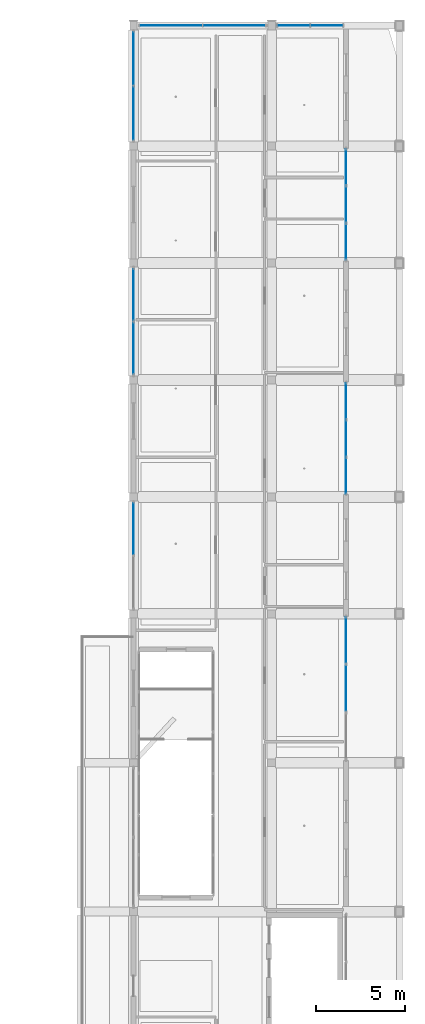
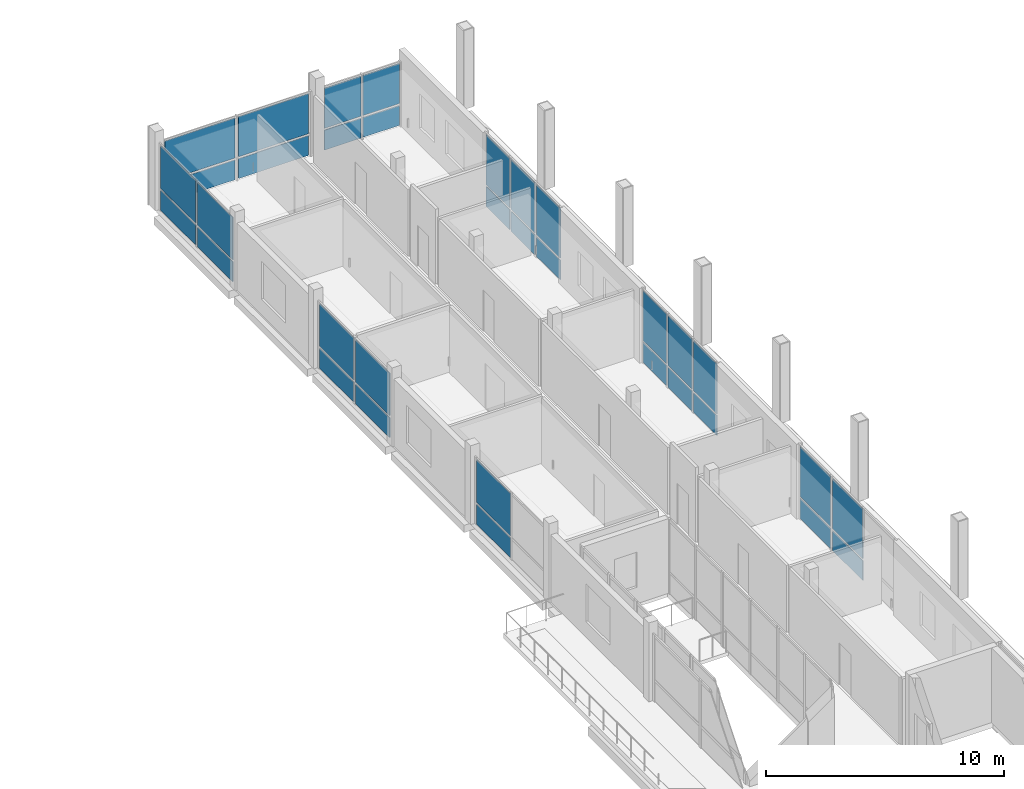
# One storey, part 21 of 48: 34 plates, 8 elements without a shape of their own.
"""IFC4 building model written with IfcOpenShell, lengths in metres."""

import ifcopenshell
import ifcopenshell.guid

model = None  # the IFC model being written
_history = None  # IfcOwnerHistory: only IFC2X3 demands one
_inside = {}  # id of a spatial element -> (the spatial element, [elements in it])
_under = {}  # id of a project, library or spatial element -> (it, [spatial elements below it])
_declared = {}  # id of a project -> (the project, [libraries it declares])
_typed = {}  # id of a type object -> (the type object, [elements of that type])
_made_of = {}  # id of a material, layer set ... -> (it, [elements and type objects made of it])


def new_model(schema):
    """Start an empty IFC model of exactly this schema.

    Asked for "IFC4X3", IfcOpenShell would pick the latest addendum, in which some entities
    have other attributes; the version numbers below select the first issue.
    IFC2X3 requires an IfcOwnerHistory on every rooted entity: one is made here for all.
    """
    global model, _history
    if schema == "IFC4X3":
        model = ifcopenshell.file(schema_version=(4, 3, 0, 0))
    else:
        model = ifcopenshell.file(schema=schema)
    _inside.clear()
    _under.clear()
    _declared.clear()
    _typed.clear()
    _made_of.clear()
    _history = None
    if model.schema == "IFC2X3":
        org = make("IfcOrganization", Name="unknown")
        user = make(
            "IfcPersonAndOrganization",
            ThePerson=make("IfcPerson", FamilyName="unknown"),
            TheOrganization=org,
        )
        app = make(
            "IfcApplication",
            ApplicationDeveloper=org,
            Version="unknown",
            ApplicationFullName="unknown",
            ApplicationIdentifier="unknown",
        )
        _history = make(
            "IfcOwnerHistory",
            OwningUser=user,
            OwningApplication=app,
            ChangeAction="ADDED",
            CreationDate=0,
        )
    return model


def make(cls, **values):
    """One entity of the class cls with the attributes given. An attribute that is None is left unset."""
    return model.create_entity(
        cls, **{name: value for name, value in values.items() if value is not None}
    )


def rooted(cls, **values):
    """An entity with a GlobalId (a new one), such as an element, a storey or a relation."""
    return make(cls, GlobalId=ifcopenshell.guid.new(), OwnerHistory=_history, **values)


def si_unit(unit_type, name, prefix=None):
    """IfcSIUnit, for example si_unit("LENGTHUNIT", "METRE", prefix="MILLI")."""
    return make("IfcSIUnit", UnitType=unit_type, Prefix=prefix, Name=name)


def derived_unit(unit_type, elements):
    """IfcDerivedUnit: a product of units, each with its exponent."""
    return make(
        "IfcDerivedUnit",
        Elements=[
            make("IfcDerivedUnitElement", Unit=unit, Exponent=power)
            for unit, power in elements
        ],
        UnitType=unit_type,
    )


def assignment(units):
    """IfcUnitAssignment: the units of a project."""
    return None if units is None else make("IfcUnitAssignment", Units=units)


def point(xyz):
    """IfcCartesianPoint."""
    return None if xyz is None else make("IfcCartesianPoint", Coordinates=xyz)


def direction(xyz):
    """IfcDirection."""
    return None if xyz is None else make("IfcDirection", DirectionRatios=xyz)


def frame(location, z_axis=None, x_axis=None):
    """IfcAxis2Placement3D, a coordinate frame: its origin and axes. An axis left out is left unset."""
    return make(
        "IfcAxis2Placement3D",
        Location=point(location),
        Axis=direction(z_axis),
        RefDirection=direction(x_axis),
    )


def frame_2d(location, x_axis=None):
    """IfcAxis2Placement2D, a coordinate frame in the plane: its origin and x axis."""
    return make(
        "IfcAxis2Placement2D", Location=point(location), RefDirection=direction(x_axis)
    )


def origin():
    """The frame at (0, 0, 0) with its axes left unset."""
    return frame((0.0, 0.0, 0.0))


def origin_2d():
    """The frame at (0, 0) in the plane with its x axis left unset."""
    return frame_2d((0.0, 0.0))


def place(relative_to, where):
    """IfcLocalPlacement: puts the frame where relative to a parent placement (None: the world)."""
    return make(
        "IfcLocalPlacement", PlacementRelTo=relative_to, RelativePlacement=where
    )


def context(
    kind, dimensions, precision=None, world=None, true_north=None, identifier=None
):
    """IfcGeometricRepresentationContext, for example the 3D "Model" context."""
    return make(
        "IfcGeometricRepresentationContext",
        ContextIdentifier=identifier,
        ContextType=kind,
        CoordinateSpaceDimension=dimensions,
        Precision=precision,
        WorldCoordinateSystem=world,
        TrueNorth=true_north,
    )


def subcontext(parent, identifier, kind, view, scale=None):
    """IfcGeometricRepresentationSubContext, for example "Body" below "Model"."""
    return make(
        "IfcGeometricRepresentationSubContext",
        ContextIdentifier=identifier,
        ContextType=kind,
        ParentContext=parent,
        TargetScale=scale,
        TargetView=view,
    )


def project(units=None, contexts=None):
    """IfcProject with its units and contexts."""
    return rooted(
        "IfcProject",
        Name="project",
        RepresentationContexts=contexts,
        UnitsInContext=assignment(units),
    )


def spatial(cls, under=None, at=None, **own):
    """A site, building, storey or space (cls), placed at a placement, below another one or the project."""
    s = rooted(cls, ObjectPlacement=at, **own)
    if under is not None:
        _under.setdefault(under.id(), (under, []))[1].append(s)
    return s


def profile(cls, at=None, kind="AREA", **sizes):
    """A parametric profile (cls). Its sizes go by their IFC names, for example OverallWidth=200.0."""
    return make(cls, ProfileType=kind, Position=at, **sizes)


def rectangle(**sizes):
    """IfcRectangleProfileDef."""
    return profile("IfcRectangleProfileDef", **sizes)


def extrude(swept, where, along, depth):
    """IfcExtrudedAreaSolid: the profile swept, set in the frame where, extruded along a direction by depth."""
    return make(
        "IfcExtrudedAreaSolid",
        SweptArea=swept,
        Position=where,
        ExtrudedDirection=direction(along),
        Depth=depth,
    )


def shape(context_of_items, identifier, shape_type, items):
    """IfcShapeRepresentation: the items that make up one representation, for example the "Body"."""
    return make(
        "IfcShapeRepresentation",
        ContextOfItems=context_of_items,
        RepresentationIdentifier=identifier,
        RepresentationType=shape_type,
        Items=items,
    )


def material(Name=None, Category=None):
    """IfcMaterial."""
    return make("IfcMaterial", Name=Name, Category=Category)


def made_of(thing, what):
    """Note that an element or type object is made of a material, layer set ...; save() writes the relation."""
    if what is not None:
        _made_of.setdefault(what.id(), (what, []))[1].append(thing)
    return thing


def type_object(cls, material=None, **own):
    """A type object (cls), such as IfcWallType, which elements share."""
    return made_of(rooted(cls, **own), material)


def element(
    cls,
    number,
    at=None,
    inside=None,
    cuts=None,
    type_object=None,
    material=None,
    context=None,
    identifier="Body",
    shape_type=None,
    held_by="IfcProductDefinitionShape",
    body=None,
    shapes=None,
    **own,
):
    """One element of the class cls, such as IfcWall. Its Tag is "e" and its number.

    at: its placement. inside: the storey or other place that contains it. cuts: it is an
    opening in that element (IfcRelVoidsElement). A single representation is given by context,
    identifier, shape_type and body (its items); several are given by shapes. held_by: the class
    of the entity that holds the representations. save() writes the other relations.
    """
    e = rooted(cls, Tag="e%d" % number, ObjectPlacement=at, **own)
    if body is not None:
        shapes = [shape(context, identifier, shape_type, body)]
    if shapes is not None:
        e.Representation = make(held_by, Representations=shapes)
    if inside is not None:
        _inside.setdefault(inside.id(), (inside, []))[1].append(e)
    if cuts is not None:
        rooted(
            "IfcRelVoidsElement", RelatingBuildingElement=cuts, RelatedOpeningElement=e
        )
    if type_object is not None:
        _typed.setdefault(type_object.id(), (type_object, []))[1].append(e)
    return made_of(e, material)


def aggregate(whole, parts):
    """IfcRelAggregates: a whole, such as a stair, and the parts it consists of."""
    return rooted("IfcRelAggregates", RelatingObject=whole, RelatedObjects=parts)


def save(model, path):
    """Write the relations noted so far, then the file.

    IfcRelAggregates (storeys below a building ...), IfcRelContainedInSpatialStructure (elements
    in a storey), IfcRelDefinesByType, IfcRelAssociatesMaterial and IfcRelDeclares: one each for
    every whole, place, type object, material and project.
    """
    for whole, parts in _under.values():
        aggregate(whole, parts)
    for where, things in _inside.values():
        rooted(
            "IfcRelContainedInSpatialStructure",
            RelatedElements=things,
            RelatingStructure=where,
        )
    for kind, things in _typed.values():
        rooted("IfcRelDefinesByType", RelatedObjects=things, RelatingType=kind)
    for what, things in _made_of.values():
        rooted("IfcRelAssociatesMaterial", RelatedObjects=things, RelatingMaterial=what)
    for by, libraries in _declared.values():
        rooted("IfcRelDeclares", RelatingContext=by, RelatedDefinitions=libraries)
    model.write(path)


model = new_model("IFC4")

# Units and contexts
model_context = context("Model", 3, precision=1e-05, world=origin(), true_north=direction((0.0, 1.0)))
body_context = subcontext(model_context, "Body", "Model", "MODEL_VIEW")
ifc_project = project(units=[si_unit("LENGTHUNIT", "METRE"), si_unit("AREAUNIT", "SQUARE_METRE"), si_unit("VOLUMEUNIT", "CUBIC_METRE"), si_unit("PLANEANGLEUNIT", "RADIAN"), si_unit("MASSUNIT", "GRAM", prefix="KILO"), derived_unit("THERMALTRANSMITTANCEUNIT", [(si_unit("POWERUNIT", "WATT"), 1), (si_unit("LENGTHUNIT", "METRE"), -2), (si_unit("THERMODYNAMICTEMPERATUREUNIT", "KELVIN"), -1)])], contexts=[model_context])

# Site, building, storey
site_placement = place(None, origin())
site = spatial("IfcSite", under=ifc_project, at=site_placement, CompositionType="ELEMENT")
building_placement = place(site_placement, origin())
building = spatial("IfcBuilding", under=site, at=building_placement, Name="Braskholm Square Health Centre", CompositionType="ELEMENT")
storey_placement = place(building_placement, frame((0.0, 0.0, 17.550048828125)))
storey = spatial("IfcBuildingStorey", under=building, at=storey_placement, Name="L05", CompositionType="ELEMENT", Elevation=17.550048828125)

# Curtain wall, plates
ifc_material_1 = material(Name="Low-E triple insulating glass (VLT 0.64)", Category="glass")
curtain_wall_type_1 = type_object("IfcCurtainWallType", Name="UnitisedCurtainWall6200x3800", PredefinedType="NOTDEFINED", material=ifc_material_1)
curtain_wall_1_placement = place(storey_placement, origin())
curtain_wall_1 = element("IfcCurtainWall", 1, at=curtain_wall_1_placement, inside=storey, type_object=curtain_wall_type_1, Name="East Crown unitised curtain wall CW-L05-0082", PredefinedType="NOTDEFINED")
ifc_material_2 = material(Name="Architectural bronze anodised aluminium", Category="aluminium")
plate_type_1 = type_object("IfcPlateType", Name="CurtainPanelSpandrel1850x1020", PredefinedType="CURTAIN_PANEL", material=ifc_material_2)
plate_1_placement = place(storey_placement, frame((160.800048828125, 88.3798828125, 0.050048828125), z_axis=(0.0, 0.0, 1.0), x_axis=(0.0, 1.0, 0.0)))
plate_1 = element("IfcPlate", 2, at=plate_1_placement, type_object=plate_type_1, Name="CW-L05-0082 spandrel panel 1", PredefinedType="CURTAIN_PANEL", context=body_context, shape_type="SweptSolid", body=[
    extrude(rectangle(XDim=1.992919921875, YDim=0.035888671875, at=origin_2d()), origin(), (0.0, 0.0, 1.0), 1.02001953125),
])
plate_2_placement = place(storey_placement, frame((160.800048828125, 90.5, 0.050048828125), z_axis=(0.0, 0.0, 1.0), x_axis=(0.0, 1.0, 0.0)))
plate_2 = element("IfcPlate", 3, at=plate_2_placement, type_object=plate_type_1, Name="CW-L05-0082 spandrel panel 2", PredefinedType="CURTAIN_PANEL", context=body_context, shape_type="SweptSolid", body=[
    extrude(rectangle(XDim=1.992919921875, YDim=0.035888671875, at=origin_2d()), origin(), (0.0, 0.0, 1.0), 1.02001953125),
])
plate_3_placement = place(storey_placement, frame((160.800048828125, 92.6201171875, 0.050048828125), z_axis=(0.0, 0.0, 1.0), x_axis=(0.0, 1.0, 0.0)))
plate_3 = element("IfcPlate", 4, at=plate_3_placement, type_object=plate_type_1, Name="CW-L05-0082 spandrel panel 3", PredefinedType="CURTAIN_PANEL", context=body_context, shape_type="SweptSolid", body=[
    extrude(rectangle(XDim=1.992919921875, YDim=0.035888671875, at=origin_2d()), origin(), (0.0, 0.0, 1.0), 1.02001953125),
])

curtain_wall_2_placement = place(storey_placement, origin())
curtain_wall_2 = element("IfcCurtainWall", 5, at=curtain_wall_2_placement, inside=storey, type_object=curtain_wall_type_1, Name="East Crown unitised curtain wall CW-L05-0083", PredefinedType="NOTDEFINED")
plate_4_placement = place(storey_placement, frame((160.800048828125, 101.580078125, 0.050048828125), z_axis=(0.0, 0.0, 1.0), x_axis=(0.0, 1.0, 0.0)))
plate_4 = element("IfcPlate", 6, at=plate_4_placement, type_object=plate_type_1, Name="CW-L05-0083 spandrel panel 1", PredefinedType="CURTAIN_PANEL", context=body_context, shape_type="SweptSolid", body=[
    extrude(rectangle(XDim=1.992919921875, YDim=0.035888671875, at=origin_2d()), origin(), (0.0, 0.0, 1.0), 1.02001953125),
])
plate_5_placement = place(storey_placement, frame((160.800048828125, 103.699951171875, 0.050048828125), z_axis=(0.0, 0.0, 1.0), x_axis=(0.0, 1.0, 0.0)))
plate_5 = element("IfcPlate", 7, at=plate_5_placement, type_object=plate_type_1, Name="CW-L05-0083 spandrel panel 2", PredefinedType="CURTAIN_PANEL", context=body_context, shape_type="SweptSolid", body=[
    extrude(rectangle(XDim=1.992919921875, YDim=0.035888671875, at=origin_2d()), origin(), (0.0, 0.0, 1.0), 1.02001953125),
])
plate_6_placement = place(storey_placement, frame((160.800048828125, 105.820068359375, 0.050048828125), z_axis=(0.0, 0.0, 1.0), x_axis=(0.0, 1.0, 0.0)))
plate_6 = element("IfcPlate", 8, at=plate_6_placement, type_object=plate_type_1, Name="CW-L05-0083 spandrel panel 3", PredefinedType="CURTAIN_PANEL", context=body_context, shape_type="SweptSolid", body=[
    extrude(rectangle(XDim=1.992919921875, YDim=0.035888671875, at=origin_2d()), origin(), (0.0, 0.0, 1.0), 1.02001953125),
])

curtain_wall_type_2 = type_object("IfcCurtainWallType", Name="UnitisedCurtainWall3600x3650", PredefinedType="NOTDEFINED", material=ifc_material_1)
curtain_wall_3_placement = place(storey_placement, origin())
curtain_wall_3 = element("IfcCurtainWall", 9, at=curtain_wall_3_placement, inside=storey, type_object=curtain_wall_type_2, Name="Wing End unitised curtain wall CW-L05-0169", PredefinedType="NOTDEFINED")
plate_7_placement = place(storey_placement, frame((159.70361328125, 113.800048828125, 0.050048828125), z_axis=(0.0, 0.0, 1.0), x_axis=(-1.0, 0.0, 0.0)))
plate_7 = element("IfcPlate", 10, at=plate_7_placement, type_object=plate_type_1, Name="CW-L05-0169 spandrel panel 1", PredefinedType="CURTAIN_PANEL", context=body_context, shape_type="SweptSolid", body=[
    extrude(rectangle(XDim=1.776611328125, YDim=0.035888671875, at=origin_2d()), origin(), (0.0, 0.0, 1.0), 1.02001953125),
])
plate_8_placement = place(storey_placement, frame((157.836181640625, 113.800048828125, 0.050048828125), z_axis=(0.0, 0.0, 1.0), x_axis=(-1.0, 0.0, 0.0)))
plate_8 = element("IfcPlate", 11, at=plate_8_placement, type_object=plate_type_1, Name="CW-L05-0169 spandrel panel 2", PredefinedType="CURTAIN_PANEL", context=body_context, shape_type="SweptSolid", body=[
    extrude(rectangle(XDim=1.776611328125, YDim=0.035888671875, at=origin_2d()), origin(), (0.0, 0.0, 1.0), 1.02001953125),
])

curtain_wall_4_placement = place(storey_placement, origin())
curtain_wall_4 = element("IfcCurtainWall", 12, at=curtain_wall_4_placement, inside=storey, type_object=curtain_wall_type_1, Name="East Crown unitised curtain wall CW-L05-0081", PredefinedType="NOTDEFINED")
plate_type_2 = type_object("IfcPlateType", Name="CurtainPanelSpandrel2750x1020", PredefinedType="CURTAIN_PANEL", material=ifc_material_2)
plate_9_placement = place(storey_placement, frame((160.800048828125, 76.39990234375, 0.050048828125), z_axis=(0.0, 0.0, 1.0), x_axis=(0.0, 1.0, 0.0)))
plate_9 = element("IfcPlate", 13, at=plate_9_placement, type_object=plate_type_2, Name="CW-L05-0081 spandrel panel 2", PredefinedType="CURTAIN_PANEL", context=body_context, shape_type="SweptSolid", body=[
    extrude(rectangle(XDim=2.556884765625, YDim=0.035888671875, at=origin_2d()), origin(), (0.0, 0.0, 1.0), 1.02001953125),
])
plate_10_placement = place(storey_placement, frame((160.800048828125, 79.1201171875, 0.050048828125), z_axis=(0.0, 0.0, 1.0), x_axis=(0.0, 1.0, 0.0)))
plate_10 = element("IfcPlate", 14, at=plate_10_placement, type_object=plate_type_2, Name="CW-L05-0081 spandrel panel 3", PredefinedType="CURTAIN_PANEL", context=body_context, shape_type="SweptSolid", body=[
    extrude(rectangle(XDim=2.556884765625, YDim=0.035888671875, at=origin_2d()), origin(), (0.0, 0.0, 1.0), 1.02001953125),
])

# Curtain wall, plate
curtain_wall_type_3 = type_object("IfcCurtainWallType", Name="UnitisedCurtainWall6200x3650", PredefinedType="NOTDEFINED", material=ifc_material_1)
curtain_wall_5_placement = place(storey_placement, origin())
curtain_wall_5 = element("IfcCurtainWall", 15, at=curtain_wall_5_placement, inside=storey, type_object=curtain_wall_type_3, Name="East Valley unitised curtain wall CW-L05-0142", PredefinedType="NOTDEFINED")
plate_11_placement = place(storey_placement, frame((148.800048828125, 85.41162109375, 0.050048828125), z_axis=(0.0, 0.0, 1.0), x_axis=(0.0, -1.0, 0.0)))
plate_11 = element("IfcPlate", 16, at=plate_11_placement, type_object=plate_type_2, Name="CW-L05-0142 spandrel panel 1", PredefinedType="CURTAIN_PANEL", context=body_context, shape_type="SweptSolid", body=[
    extrude(rectangle(XDim=2.87646484375, YDim=0.035888671875, at=origin_2d()), origin(), (0.0, 0.0, 1.0), 1.02001953125),
])

# Curtain wall, plates
curtain_wall_6_placement = place(storey_placement, origin())
curtain_wall_6 = element("IfcCurtainWall", 17, at=curtain_wall_6_placement, inside=storey, type_object=curtain_wall_type_3, Name="East Valley unitised curtain wall CW-L05-0143", PredefinedType="NOTDEFINED")
plate_12_placement = place(storey_placement, frame((148.800048828125, 98.611572265625, 0.050048828125), z_axis=(0.0, 0.0, 1.0), x_axis=(0.0, -1.0, 0.0)))
plate_12 = element("IfcPlate", 18, at=plate_12_placement, type_object=plate_type_2, Name="CW-L05-0143 spandrel panel 1", PredefinedType="CURTAIN_PANEL", context=body_context, shape_type="SweptSolid", body=[
    extrude(rectangle(XDim=2.87646484375, YDim=0.035888671875, at=origin_2d()), origin(), (0.0, 0.0, 1.0), 1.02001953125),
])
plate_13_placement = place(storey_placement, frame((148.800048828125, 95.58837890625, 0.050048828125), z_axis=(0.0, 0.0, 1.0), x_axis=(0.0, -1.0, 0.0)))
plate_13 = element("IfcPlate", 19, at=plate_13_placement, type_object=plate_type_2, Name="CW-L05-0143 spandrel panel 2", PredefinedType="CURTAIN_PANEL", context=body_context, shape_type="SweptSolid", body=[
    extrude(rectangle(XDim=2.87646484375, YDim=0.035888671875, at=origin_2d()), origin(), (0.0, 0.0, 1.0), 1.02001953125),
])

curtain_wall_7_placement = place(storey_placement, origin())
curtain_wall_7 = element("IfcCurtainWall", 20, at=curtain_wall_7_placement, inside=storey, type_object=curtain_wall_type_3, Name="East Valley unitised curtain wall CW-L05-0144", PredefinedType="NOTDEFINED")
plate_type_3 = type_object("IfcPlateType", Name="CurtainPanelSpandrel3150x1020", PredefinedType="CURTAIN_PANEL", material=ifc_material_2)
plate_14_placement = place(storey_placement, frame((148.800048828125, 111.938720703125, 0.050048828125), z_axis=(0.0, 0.0, 1.0), x_axis=(0.0, -1.0, 0.0)))
plate_14 = element("IfcPlate", 21, at=plate_14_placement, type_object=plate_type_3, Name="CW-L05-0144 spandrel panel 1", PredefinedType="CURTAIN_PANEL", context=body_context, shape_type="SweptSolid", body=[
    extrude(rectangle(XDim=2.956298828125, YDim=0.035888671875, at=origin_2d()), origin(), (0.0, 0.0, 1.0), 1.02001953125),
])
plate_15_placement = place(storey_placement, frame((148.800048828125, 108.831298828125, 0.050048828125), z_axis=(0.0, 0.0, 1.0), x_axis=(0.0, -1.0, 0.0)))
plate_15 = element("IfcPlate", 22, at=plate_15_placement, type_object=plate_type_3, Name="CW-L05-0144 spandrel panel 2", PredefinedType="CURTAIN_PANEL", context=body_context, shape_type="SweptSolid", body=[
    extrude(rectangle(XDim=2.956298828125, YDim=0.035888671875, at=origin_2d()), origin(), (0.0, 0.0, 1.0), 1.02001953125),
])

curtain_wall_8_placement = place(storey_placement, origin())
curtain_wall_8 = element("IfcCurtainWall", 23, at=curtain_wall_8_placement, inside=storey, type_object=curtain_wall_type_3, Name="Wing End unitised curtain wall CW-L05-0170", PredefinedType="NOTDEFINED")
plate_16_placement = place(storey_placement, frame((154.48828125, 113.800048828125, 0.050048828125), z_axis=(0.0, 0.0, 1.0), x_axis=(-1.0, 0.0, 0.0)))
plate_16 = element("IfcPlate", 24, at=plate_16_placement, type_object=plate_type_3, Name="CW-L05-0170 spandrel panel 1", PredefinedType="CURTAIN_PANEL", context=body_context, shape_type="SweptSolid", body=[
    extrude(rectangle(XDim=3.40283203125, YDim=0.035888671875, at=origin_2d()), origin(), (0.0, 0.0, 1.0), 1.02001953125),
])
plate_17_placement = place(storey_placement, frame((150.91162109375, 113.800048828125, 0.050048828125), z_axis=(0.0, 0.0, 1.0), x_axis=(-1.0, 0.0, 0.0)))
plate_17 = element("IfcPlate", 25, at=plate_17_placement, type_object=plate_type_3, Name="CW-L05-0170 spandrel panel 2", PredefinedType="CURTAIN_PANEL", context=body_context, shape_type="SweptSolid", body=[
    extrude(rectangle(XDim=3.40283203125, YDim=0.035888671875, at=origin_2d()), origin(), (0.0, 0.0, 1.0), 1.02001953125),
])

# Plate
plate_type_4 = type_object("IfcPlateType", Name="CurtainPanelVision1850x2120", PredefinedType="CURTAIN_PANEL", material=ifc_material_1)
plate_18_placement = place(storey_placement, frame((159.70361328125, 113.800048828125, 1.169921875), z_axis=(0.0, 0.0, 1.0), x_axis=(-1.0, 0.0, 0.0)))
plate_18 = element("IfcPlate", 26, at=plate_18_placement, type_object=plate_type_4, Name="CW-L05-0169 vision glass panel 1", PredefinedType="CURTAIN_PANEL", context=body_context, shape_type="SweptSolid", body=[
    extrude(rectangle(XDim=1.776611328125, YDim=0.035888671875, at=origin_2d()), origin(), (0.0, 0.0, 1.0), 2.06005859375),
])

plate_19_placement = place(storey_placement, frame((157.836181640625, 113.800048828125, 1.169921875), z_axis=(0.0, 0.0, 1.0), x_axis=(-1.0, 0.0, 0.0)))
plate_19 = element("IfcPlate", 27, at=plate_19_placement, type_object=plate_type_4, Name="CW-L05-0169 vision glass panel 2", PredefinedType="CURTAIN_PANEL", context=body_context, shape_type="SweptSolid", body=[
    extrude(rectangle(XDim=1.776611328125, YDim=0.035888671875, at=origin_2d()), origin(), (0.0, 0.0, 1.0), 2.06005859375),
])

aggregate(curtain_wall_3, [plate_7, plate_18, plate_8, plate_19])

plate_type_5 = type_object("IfcPlateType", Name="CurtainPanelVision1850x2520", PredefinedType="CURTAIN_PANEL", material=ifc_material_1)
plate_20_placement = place(storey_placement, frame((160.800048828125, 88.3798828125, 1.169921875), z_axis=(0.0, 0.0, 1.0), x_axis=(0.0, 1.0, 0.0)))
plate_20 = element("IfcPlate", 28, at=plate_20_placement, type_object=plate_type_5, Name="CW-L05-0082 vision glass panel 1", PredefinedType="CURTAIN_PANEL", context=body_context, shape_type="SweptSolid", body=[
    extrude(rectangle(XDim=1.992919921875, YDim=0.035888671875, at=origin_2d()), origin(), (0.0, 0.0, 1.0), 2.56005859375),
])

plate_21_placement = place(storey_placement, frame((160.800048828125, 90.5, 1.169921875), z_axis=(0.0, 0.0, 1.0), x_axis=(0.0, 1.0, 0.0)))
plate_21 = element("IfcPlate", 29, at=plate_21_placement, type_object=plate_type_5, Name="CW-L05-0082 vision glass panel 2", PredefinedType="CURTAIN_PANEL", context=body_context, shape_type="SweptSolid", body=[
    extrude(rectangle(XDim=1.992919921875, YDim=0.035888671875, at=origin_2d()), origin(), (0.0, 0.0, 1.0), 2.56005859375),
])

plate_22_placement = place(storey_placement, frame((160.800048828125, 92.6201171875, 1.169921875), z_axis=(0.0, 0.0, 1.0), x_axis=(0.0, 1.0, 0.0)))
plate_22 = element("IfcPlate", 30, at=plate_22_placement, type_object=plate_type_5, Name="CW-L05-0082 vision glass panel 3", PredefinedType="CURTAIN_PANEL", context=body_context, shape_type="SweptSolid", body=[
    extrude(rectangle(XDim=1.992919921875, YDim=0.035888671875, at=origin_2d()), origin(), (0.0, 0.0, 1.0), 2.56005859375),
])

aggregate(curtain_wall_1, [plate_1, plate_20, plate_2, plate_21, plate_3, plate_22])

plate_23_placement = place(storey_placement, frame((160.800048828125, 101.580078125, 1.169921875), z_axis=(0.0, 0.0, 1.0), x_axis=(0.0, 1.0, 0.0)))
plate_23 = element("IfcPlate", 31, at=plate_23_placement, type_object=plate_type_5, Name="CW-L05-0083 vision glass panel 1", PredefinedType="CURTAIN_PANEL", context=body_context, shape_type="SweptSolid", body=[
    extrude(rectangle(XDim=1.992919921875, YDim=0.035888671875, at=origin_2d()), origin(), (0.0, 0.0, 1.0), 2.56005859375),
])

plate_24_placement = place(storey_placement, frame((160.800048828125, 103.699951171875, 1.169921875), z_axis=(0.0, 0.0, 1.0), x_axis=(0.0, 1.0, 0.0)))
plate_24 = element("IfcPlate", 32, at=plate_24_placement, type_object=plate_type_5, Name="CW-L05-0083 vision glass panel 2", PredefinedType="CURTAIN_PANEL", context=body_context, shape_type="SweptSolid", body=[
    extrude(rectangle(XDim=1.992919921875, YDim=0.035888671875, at=origin_2d()), origin(), (0.0, 0.0, 1.0), 2.56005859375),
])

plate_25_placement = place(storey_placement, frame((160.800048828125, 105.820068359375, 1.169921875), z_axis=(0.0, 0.0, 1.0), x_axis=(0.0, 1.0, 0.0)))
plate_25 = element("IfcPlate", 33, at=plate_25_placement, type_object=plate_type_5, Name="CW-L05-0083 vision glass panel 3", PredefinedType="CURTAIN_PANEL", context=body_context, shape_type="SweptSolid", body=[
    extrude(rectangle(XDim=1.992919921875, YDim=0.035888671875, at=origin_2d()), origin(), (0.0, 0.0, 1.0), 2.56005859375),
])

aggregate(curtain_wall_2, [plate_4, plate_23, plate_5, plate_24, plate_6, plate_25])

plate_type_6 = type_object("IfcPlateType", Name="CurtainPanelVision2750x2120", PredefinedType="CURTAIN_PANEL", material=ifc_material_1)
plate_26_placement = place(storey_placement, frame((148.800048828125, 85.41162109375, 1.169921875), z_axis=(0.0, 0.0, 1.0), x_axis=(0.0, -1.0, 0.0)))
plate_26 = element("IfcPlate", 34, at=plate_26_placement, type_object=plate_type_6, Name="CW-L05-0142 vision glass panel 1", PredefinedType="CURTAIN_PANEL", context=body_context, shape_type="SweptSolid", body=[
    extrude(rectangle(XDim=2.87646484375, YDim=0.035888671875, at=origin_2d()), origin(), (0.0, 0.0, 1.0), 2.179931640625),
])

aggregate(curtain_wall_5, [plate_11, plate_26])

plate_27_placement = place(storey_placement, frame((148.800048828125, 98.611572265625, 1.169921875), z_axis=(0.0, 0.0, 1.0), x_axis=(0.0, -1.0, 0.0)))
plate_27 = element("IfcPlate", 35, at=plate_27_placement, type_object=plate_type_6, Name="CW-L05-0143 vision glass panel 1", PredefinedType="CURTAIN_PANEL", context=body_context, shape_type="SweptSolid", body=[
    extrude(rectangle(XDim=2.87646484375, YDim=0.035888671875, at=origin_2d()), origin(), (0.0, 0.0, 1.0), 2.179931640625),
])

plate_28_placement = place(storey_placement, frame((148.800048828125, 95.58837890625, 1.169921875), z_axis=(0.0, 0.0, 1.0), x_axis=(0.0, -1.0, 0.0)))
plate_28 = element("IfcPlate", 36, at=plate_28_placement, type_object=plate_type_6, Name="CW-L05-0143 vision glass panel 2", PredefinedType="CURTAIN_PANEL", context=body_context, shape_type="SweptSolid", body=[
    extrude(rectangle(XDim=2.87646484375, YDim=0.035888671875, at=origin_2d()), origin(), (0.0, 0.0, 1.0), 2.179931640625),
])

aggregate(curtain_wall_6, [plate_12, plate_27, plate_13, plate_28])

plate_type_7 = type_object("IfcPlateType", Name="CurtainPanelVision2750x2520", PredefinedType="CURTAIN_PANEL", material=ifc_material_1)
plate_29_placement = place(storey_placement, frame((160.800048828125, 76.39990234375, 1.169921875), z_axis=(0.0, 0.0, 1.0), x_axis=(0.0, 1.0, 0.0)))
plate_29 = element("IfcPlate", 37, at=plate_29_placement, type_object=plate_type_7, Name="CW-L05-0081 vision glass panel 2", PredefinedType="CURTAIN_PANEL", context=body_context, shape_type="SweptSolid", body=[
    extrude(rectangle(XDim=2.556884765625, YDim=0.035888671875, at=origin_2d()), origin(), (0.0, 0.0, 1.0), 2.56005859375),
])

plate_30_placement = place(storey_placement, frame((160.800048828125, 79.1201171875, 1.169921875), z_axis=(0.0, 0.0, 1.0), x_axis=(0.0, 1.0, 0.0)))
plate_30 = element("IfcPlate", 38, at=plate_30_placement, type_object=plate_type_7, Name="CW-L05-0081 vision glass panel 3", PredefinedType="CURTAIN_PANEL", context=body_context, shape_type="SweptSolid", body=[
    extrude(rectangle(XDim=2.556884765625, YDim=0.035888671875, at=origin_2d()), origin(), (0.0, 0.0, 1.0), 2.56005859375),
])

aggregate(curtain_wall_4, [plate_9, plate_29, plate_10, plate_30])

plate_type_8 = type_object("IfcPlateType", Name="CurtainPanelVision3150x2120", PredefinedType="CURTAIN_PANEL", material=ifc_material_1)
plate_31_placement = place(storey_placement, frame((148.800048828125, 111.938720703125, 1.169921875), z_axis=(0.0, 0.0, 1.0), x_axis=(0.0, -1.0, 0.0)))
plate_31 = element("IfcPlate", 39, at=plate_31_placement, type_object=plate_type_8, Name="CW-L05-0144 vision glass panel 1", PredefinedType="CURTAIN_PANEL", context=body_context, shape_type="SweptSolid", body=[
    extrude(rectangle(XDim=2.956298828125, YDim=0.035888671875, at=origin_2d()), origin(), (0.0, 0.0, 1.0), 2.179931640625),
])

plate_32_placement = place(storey_placement, frame((148.800048828125, 108.831298828125, 1.169921875), z_axis=(0.0, 0.0, 1.0), x_axis=(0.0, -1.0, 0.0)))
plate_32 = element("IfcPlate", 40, at=plate_32_placement, type_object=plate_type_8, Name="CW-L05-0144 vision glass panel 2", PredefinedType="CURTAIN_PANEL", context=body_context, shape_type="SweptSolid", body=[
    extrude(rectangle(XDim=2.956298828125, YDim=0.035888671875, at=origin_2d()), origin(), (0.0, 0.0, 1.0), 2.179931640625),
])

aggregate(curtain_wall_7, [plate_14, plate_31, plate_15, plate_32])

plate_33_placement = place(storey_placement, frame((154.48828125, 113.800048828125, 1.169921875), z_axis=(0.0, 0.0, 1.0), x_axis=(-1.0, 0.0, 0.0)))
plate_33 = element("IfcPlate", 41, at=plate_33_placement, type_object=plate_type_8, Name="CW-L05-0170 vision glass panel 1", PredefinedType="CURTAIN_PANEL", context=body_context, shape_type="SweptSolid", body=[
    extrude(rectangle(XDim=3.40283203125, YDim=0.035888671875, at=origin_2d()), origin(), (0.0, 0.0, 1.0), 2.06005859375),
])

plate_34_placement = place(storey_placement, frame((150.91162109375, 113.800048828125, 1.169921875), z_axis=(0.0, 0.0, 1.0), x_axis=(-1.0, 0.0, 0.0)))
plate_34 = element("IfcPlate", 42, at=plate_34_placement, type_object=plate_type_8, Name="CW-L05-0170 vision glass panel 2", PredefinedType="CURTAIN_PANEL", context=body_context, shape_type="SweptSolid", body=[
    extrude(rectangle(XDim=3.40283203125, YDim=0.035888671875, at=origin_2d()), origin(), (0.0, 0.0, 1.0), 2.06005859375),
])

aggregate(curtain_wall_8, [plate_16, plate_33, plate_17, plate_34])

save(model, "model.ifc")
